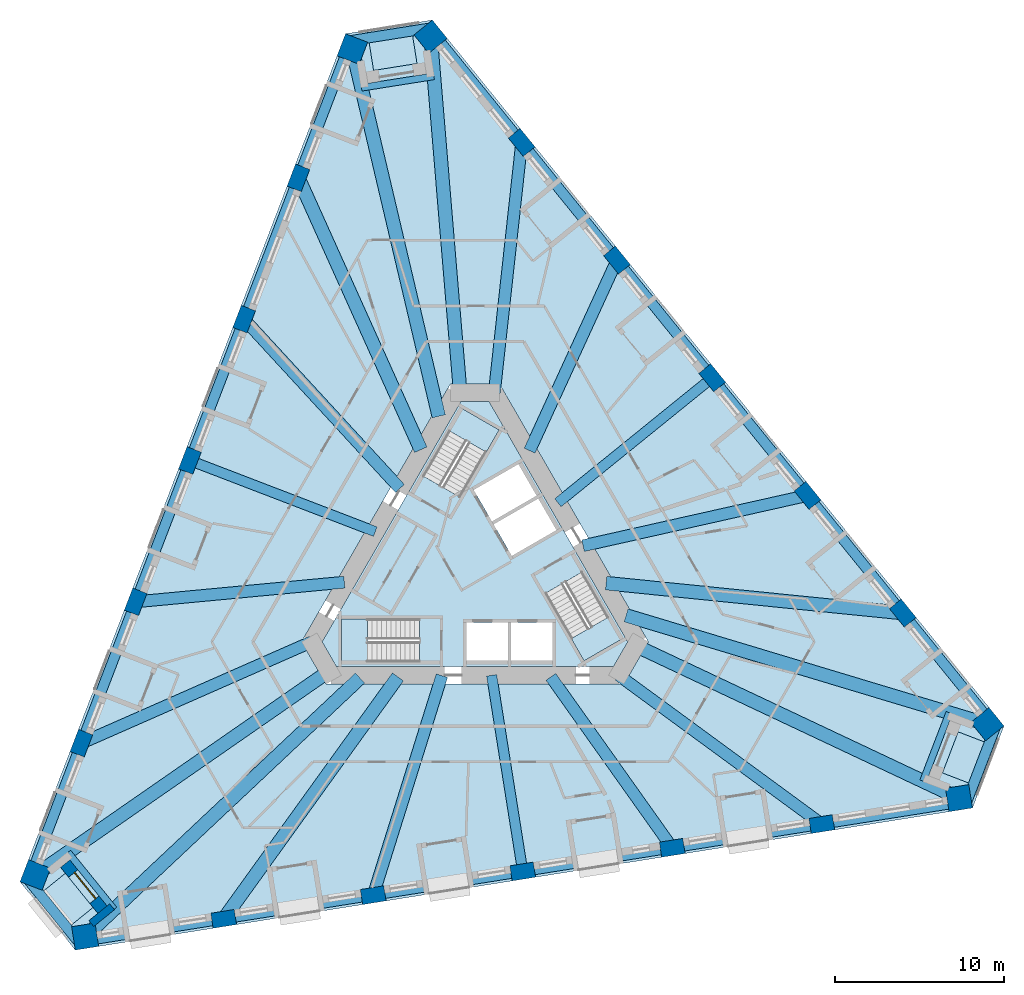
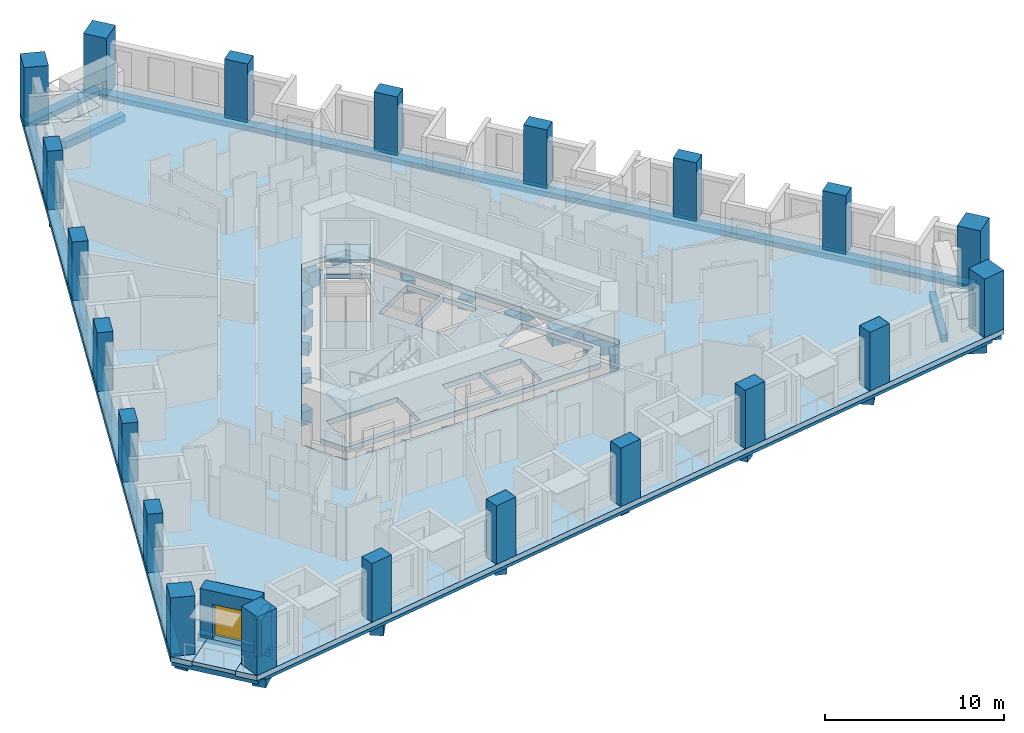
# One storey, part 1 of 14: 30 beams, 21 columns, 8 slabs, 2 walls, 1 door, 1 opening, 3 elements without a shape of their own.
"""IFC4 building model written with IfcOpenShell, lengths in metres."""

from ifc_helpers import new_model, si_unit, direction, frame, frame_2d, origin, origin_2d, place, context, subcontext, project, spatial, polyline, rectangle, outline, extrude, material, layer, layer_set, material_profile, profile_set, type_object, element, fill, aggregate, save


model = new_model("IFC4")

# Units and contexts
model_context = context("Model", 3, precision=1e-05, world=origin(), true_north=direction((0.0, 1.0)))
body_context = subcontext(model_context, "Body", "Model", "MODEL_VIEW")
ifc_project = project(units=[si_unit("LENGTHUNIT", "METRE"), si_unit("AREAUNIT", "SQUARE_METRE"), si_unit("VOLUMEUNIT", "CUBIC_METRE"), si_unit("PLANEANGLEUNIT", "RADIAN"), si_unit("MASSUNIT", "GRAM", prefix="KILO")], contexts=[model_context])

# Site, building, storey
site_placement = place(None, origin())
site = spatial("IfcSite", under=ifc_project, at=site_placement, CompositionType="ELEMENT")
building_placement = place(site_placement, origin())
building = spatial("IfcBuilding", under=site, at=building_placement, Name="Tramontana Tower", CompositionType="ELEMENT")
storey_placement = place(building_placement, frame((0.0, 0.0, 75.199951171875)))
storey = spatial("IfcBuildingStorey", under=building, at=storey_placement, Name="L16", CompositionType="ELEMENT", Elevation=75.199951171875)

# Columns
ifc_material_1 = material(Name="Concrete 70 MPa", Category="concrete")
ifc_material_profile_1 = material_profile(ifc_material_1, rectangle(XDim=1.39990234375, YDim=1.39990234375, at=origin_2d()), Name="Mega column 1400X1400 70 MPa")
ifc_profile_set_1 = profile_set([ifc_material_profile_1], Name="Concrete 70 MPa")
column_type_1 = type_object("IfcColumnType", Name="Mega column 1400X1400 70 MPa", PredefinedType="COLUMN", material=ifc_profile_set_1)
for number, where, z_axis, x_axis, name in (
    (1, (-7.24755859375, 30.7890625, 0.0), (0.0, 0.0, 1.0), (-0.358367949545, -0.933580426497, 0.0), "Mega column C1K1 L16"),
    (2, (-25.98779296875, -18.03125, 0.0), (0.0, 0.0, 1.0), (-0.358367949545, -0.933580426497, 0.0), "Mega column C1K2 L16"),
    (3, (-23.040283203125, -21.671142578125, 0.0), (0.0, 0.0, 1.0), (0.987688340595, 0.15643446504, 0.0), "Mega column C1K3 L16"),
    (4, (28.609375, -13.490478515625, 0.0), (0.0, 0.0, 1.0), (0.987688340595, 0.15643446504, 0.0), "Mega column C1K4 L16"),
    (5, (30.287841796875, -9.117919921875, 0.0), (0.0, 0.0, 1.0), (-0.62932039105, 0.777145961457, 0.0), "Mega column C1K5 L16"),
    (6, (-2.62158203125, 31.521728515625, 0.0), (0.0, 0.0, 1.0), (-0.62932039105, 0.777145961457, 0.0), "Mega column C1K6 L16"),
):
    element("IfcColumn", number, at=place(storey_placement, frame(where, z_axis=z_axis, x_axis=x_axis)), inside=storey, type_object=column_type_1, Name=name, PredefinedType="COLUMN", context=body_context, shape_type="SweptSolid", body=[
        extrude(rectangle(XDim=1.39990234375, YDim=1.39990234375, at=origin_2d()), origin(), (0.0, 0.0, 1.0), 4.0),
    ])
ifc_material_2 = material(Name="Concrete 55 MPa", Category="concrete")
ifc_material_profile_2 = material_profile(ifc_material_2, rectangle(XDim=1.39990234375, YDim=0.89990234375, at=origin_2d()), Name="Pier column 1400X900 55 MPa")
ifc_profile_set_2 = profile_set([ifc_material_profile_2], Name="Concrete 55 MPa")
column_type_2 = type_object("IfcColumnType", Name="Pier column 1400X900 55 MPa", PredefinedType="COLUMN", material=ifc_profile_set_2)
for number, where, z_axis, x_axis, name in (
    (7, (-10.43701171875, 23.177734375, 0.0), (0.0, 0.0, 1.0), (-0.358367949545, -0.933580426497, 0.0), "Pier column C1F01 L16"),
    (8, (-13.64404296875, 14.822998046875, 0.0), (0.0, 0.0, 1.0), (-0.358367949545, -0.933580426497, 0.0), "Pier column C1F02 L16"),
    (9, (-16.85107421875, 6.468505859375, 0.0), (0.0, 0.0, 1.0), (-0.358367949545, -0.933580426497, 0.0), "Pier column C1F03 L16"),
    (10, (-20.05810546875, -1.885986328125, 0.0), (0.0, 0.0, 1.0), (-0.358367949545, -0.933580426497, 0.0), "Pier column C1F04 L16"),
    (11, (-23.26513671875, -10.240478515625, 0.0), (0.0, 0.0, 1.0), (-0.358367949545, -0.933580426497, 0.0), "Pier column C1F05 L16"),
    (12, (-14.853759765625, -20.627685546875, 0.0), (0.0, 0.0, 1.0), (0.987688340595, 0.15643446504, 0.0), "Pier column C1F06 L16"),
    (13, (-6.01513671875, -19.227783203125, 0.0), (0.0, 0.0, 1.0), (0.987688340595, 0.15643446504, 0.0), "Pier column C1F07 L16"),
    (14, (2.82373046875, -17.827880859375, 0.0), (0.0, 0.0, 1.0), (0.987688340595, 0.15643446504, 0.0), "Pier column C1F08 L16"),
    (15, (11.662353515625, -16.427734375, 0.0), (0.0, 0.0, 1.0), (0.987688340595, 0.15643446504, 0.0), "Pier column C1F09 L16"),
    (16, (20.501220703125, -15.02783203125, 0.0), (0.0, 0.0, 1.0), (0.987688340595, 0.15643446504, 0.0), "Pier column C1F10 L16"),
    (17, (25.291015625, -2.550048828125, 0.0), (0.0, 0.0, 1.0), (-0.62932039105, 0.777145961457, 0.0), "Pier column C1F11 L16"),
    (18, (19.6591796875, 4.404541015625, 0.0), (0.0, 0.0, 1.0), (-0.62932039105, 0.777145961457, 0.0), "Pier column C1F12 L16"),
    (19, (14.027587890625, 11.359130859375, 0.0), (0.0, 0.0, 1.0), (-0.62932039105, 0.777145961457, 0.0), "Pier column C1F13 L16"),
    (20, (8.395751953125, 18.31396484375, 0.0), (0.0, 0.0, 1.0), (-0.62932039105, 0.777145961457, 0.0), "Pier column C1F14 L16"),
    (21, (2.763916015625, 25.2685546875, 0.0), (0.0, 0.0, 1.0), (-0.62932039105, 0.777145961457, 0.0), "Pier column C1F15 L16"),
):
    element("IfcColumn", number, at=place(storey_placement, frame(where, z_axis=z_axis, x_axis=x_axis)), inside=storey, type_object=column_type_2, Name=name, PredefinedType="COLUMN", context=body_context, shape_type="SweptSolid", body=[
        extrude(rectangle(XDim=1.39990234375, YDim=0.89990234375, at=origin_2d()), origin(), (0.0, 0.0, 1.0), 4.0),
    ])

# Beams
ifc_material_3 = material(Name="Concrete 40 MPa", Category="concrete")
ifc_material_profile_3 = material_profile(ifc_material_3, rectangle(XDim=0.60009765625, YDim=0.35009765625, at=origin_2d()), Name="RC EDGE BEAM 600X350 40 MPa")
ifc_profile_set_3 = profile_set([ifc_material_profile_3], Name="Concrete 40 MPa")
beam_type_1 = type_object("IfcBeamType", Name="RC EDGE BEAM 600X350 40 MPa", PredefinedType="SPANDREL", material=ifc_profile_set_3)
beam_1_placement = place(storey_placement, frame((-7.48095703125, 30.878662109375, -0.52490234375), z_axis=(-0.358365819965, -0.933581243964, 0.0), x_axis=(0.933581243964, -0.358365819965, 0.0)))
element("IfcBeam", 22, at=beam_1_placement, inside=storey, type_object=beam_type_1, Name="Spandrel beam S0 L16", PredefinedType="SPANDREL", context=body_context, shape_type="SweptSolid", body=[
    extrude(rectangle(XDim=0.60009765625, YDim=0.35009765625, at=origin_2d()), origin(), (0.0, 0.0, 1.0), 52.293701171875),
])
beam_2_placement = place(storey_placement, frame((-23.001220703125, -21.91796875, -0.52490234375), z_axis=(0.987688583718, 0.156432930012, 0.0), x_axis=(-0.156432930012, 0.987688583718, 0.0)))
element("IfcBeam", 23, at=beam_2_placement, inside=storey, type_object=beam_type_1, Name="Spandrel beam S1 L16", PredefinedType="SPANDREL", context=body_context, shape_type="SweptSolid", body=[
    extrude(rectangle(XDim=0.60009765625, YDim=0.35009765625, at=origin_2d()), origin(), (0.0, 0.0, 1.0), 52.29345703125),
])
beam_3_placement = place(storey_placement, frame((30.482177734375, -8.960693359375, -0.52490234375), z_axis=(-0.62931909415, 0.777147011664, 0.0), x_axis=(-0.777147011664, -0.62931909415, 0.0)))
element("IfcBeam", 24, at=beam_3_placement, inside=storey, type_object=beam_type_1, Name="Spandrel beam S2 L16", PredefinedType="SPANDREL", context=body_context, shape_type="SweptSolid", body=[
    extrude(rectangle(XDim=0.60009765625, YDim=0.35009765625, at=origin_2d()), origin(), (0.0, 0.0, 1.0), 52.293701171875),
])
beam_4_placement = place(storey_placement, frame((-2.447509765625, 32.061767578125, -0.52490234375), z_axis=(-0.987692388858, -0.156408903173, 0.0), x_axis=(0.156408903173, -0.987692388858, 0.0)))
element("IfcBeam", 25, at=beam_4_placement, inside=storey, type_object=beam_type_1, Name="Spandrel beam K0 L16", PredefinedType="SPANDREL", context=body_context, shape_type="SweptSolid", body=[
    extrude(rectangle(XDim=0.60009765625, YDim=0.35009765625, at=origin_2d()), origin(), (0.0, 0.0, 1.0), 5.1962890625),
])
for number, where, z_axis, x_axis, name in (
    (26, (-26.54248046875, -18.150634765625, -0.52490234375), (0.629325274503, -0.777142006889, 0.0), (0.777142006889, 0.629325274503, 0.0), "Spandrel beam K1 L16"),
    (27, (28.990234375, -13.9111328125, -0.52490234375), (0.358368174287, 0.933580340227, 0.0), (-0.933580340227, 0.358368174287, 0.0), "Spandrel beam K2 L16"),
):
    element("IfcBeam", number, at=place(storey_placement, frame(where, z_axis=z_axis, x_axis=x_axis)), inside=storey, type_object=beam_type_1, Name=name, PredefinedType="SPANDREL", context=body_context, shape_type="SweptSolid", body=[
        extrude(rectangle(XDim=0.60009765625, YDim=0.35009765625, at=origin_2d()), origin(), (0.0, 0.0, 1.0), 5.196044921875),
    ])
ifc_material_4 = material(Name="Concrete 40 MPa", Category="concrete")
ifc_material_profile_4 = material_profile(ifc_material_4, rectangle(XDim=0.60009765625, YDim=0.699951171875, at=origin_2d()), Name="RC GIRDER 600X700 40 MPa")
ifc_profile_set_4 = profile_set([ifc_material_profile_4], Name="Concrete 40 MPa")
beam_type_2 = type_object("IfcBeamType", Name="RC GIRDER 600X700 40 MPa", PredefinedType="BEAM", material=ifc_profile_set_4)
beam_5_placement = place(storey_placement, frame((-16.85107421875, 6.468505859375, -0.699951171875), z_axis=(0.933580146246, -0.358368679624, 0.0), x_axis=(0.358368679624, 0.933580146246, 0.0)))
element("IfcBeam", 28, at=beam_5_placement, inside=storey, type_object=beam_type_2, Name="Radial girder C1F03 L16", PredefinedType="BEAM", context=body_context, shape_type="SweptSolid", body=[
    extrude(rectangle(XDim=0.60009765625, YDim=0.699951171875, at=origin_2d()), origin(), (0.0, 0.0, 1.0), 11.74072265625),
])
for number, where, z_axis, x_axis, name in (
    (29, (2.823486328125, -17.827880859375, -0.699951171875), (-0.156412100064, 0.9876918826, 0.0), (-0.9876918826, -0.156412100064, 0.0), "Radial girder C1F08 L16"),
    (30, (14.027587890625, 11.359130859375, -0.699951171875), (-0.777154793409, -0.62930948434, 0.0), (0.62930948434, -0.777154793409, 0.0), "Radial girder C1F13 L16"),
):
    element("IfcBeam", number, at=place(storey_placement, frame(where, z_axis=z_axis, x_axis=x_axis)), inside=storey, type_object=beam_type_2, Name=name, PredefinedType="BEAM", context=body_context, shape_type="SweptSolid", body=[
        extrude(rectangle(XDim=0.60009765625, YDim=0.699951171875, at=origin_2d()), origin(), (0.0, 0.0, 1.0), 11.740966796875),
    ])
ifc_material_5 = material(Name="Concrete 40 MPa", Category="concrete")
ifc_material_profile_5 = material_profile(ifc_material_5, rectangle(XDim=0.699951171875, YDim=0.89990234375, at=origin_2d()), Name="RC GIRDER 700X900 40 MPa")
ifc_profile_set_5 = profile_set([ifc_material_profile_5], Name="Concrete 40 MPa")
beam_type_3 = type_object("IfcBeamType", Name="RC GIRDER 700X900 40 MPa", PredefinedType="BEAM", material=ifc_profile_set_5)
beam_6_placement = place(storey_placement, frame((-13.64404296875, 14.822998046875, -0.800048828125), z_axis=(0.677237750705, -0.735764248261, 0.0), x_axis=(0.735764248261, 0.677237750705, 0.0)))
element("IfcBeam", 31, at=beam_6_placement, inside=storey, type_object=beam_type_3, Name="Radial girder C1F02 L16", PredefinedType="BEAM", context=body_context, shape_type="SweptSolid", body=[
    extrude(rectangle(XDim=0.699951171875, YDim=0.89990234375, at=origin_2d()), origin(), (0.0, 0.0, 1.0), 13.598876953125),
])
beam_7_placement = place(storey_placement, frame((-20.05810546875, -1.885986328125, -0.800048828125), z_axis=(0.995608960431, 0.093609817375, 0.0), x_axis=(-0.093609817375, 0.995608960431, 0.0)))
element("IfcBeam", 32, at=beam_7_placement, inside=storey, type_object=beam_type_3, Name="Radial girder C1F04 L16", PredefinedType="BEAM", context=body_context, shape_type="SweptSolid", body=[
    extrude(rectangle(XDim=0.699951171875, YDim=0.89990234375, at=origin_2d()), origin(), (0.0, 0.0, 1.0), 12.3935546875),
])
beam_8_placement = place(storey_placement, frame((-23.26513671875, -10.240478515625, -0.800048828125), z_axis=(0.915262520168, 0.402857939199, 0.0), x_axis=(-0.402857939199, 0.915262520168, 0.0)))
element("IfcBeam", 33, at=beam_8_placement, inside=storey, type_object=beam_type_3, Name="Radial girder C1F05 L16", PredefinedType="BEAM", context=body_context, shape_type="SweptSolid", body=[
    extrude(rectangle(XDim=0.699951171875, YDim=0.89990234375, at=origin_2d()), origin(), (0.0, 0.0, 1.0), 14.87841796875),
])
beam_9_placement = place(storey_placement, frame((-6.01513671875, -19.227783203125, -0.800048828125), z_axis=(0.298567329493, 0.954388573779, 0.0), x_axis=(-0.954388573779, 0.298567329493, 0.0)))
element("IfcBeam", 34, at=beam_9_placement, inside=storey, type_object=beam_type_3, Name="Radial girder C1F07 L16", PredefinedType="BEAM", context=body_context, shape_type="SweptSolid", body=[
    extrude(rectangle(XDim=0.699951171875, YDim=0.89990234375, at=origin_2d()), origin(), (0.0, 0.0, 1.0), 13.599365234375),
])
beam_10_placement = place(storey_placement, frame((11.662353515625, -16.427978515625, -0.800048828125), z_axis=(-0.578872935906, 0.815417760461, 0.0), x_axis=(-0.815417760461, -0.578872935906, 0.0)))
element("IfcBeam", 35, at=beam_10_placement, inside=storey, type_object=beam_type_3, Name="Radial girder C1F09 L16", PredefinedType="BEAM", context=body_context, shape_type="SweptSolid", body=[
    extrude(rectangle(XDim=0.699951171875, YDim=0.89990234375, at=origin_2d()), origin(), (0.0, 0.0, 1.0), 12.3935546875),
])
beam_11_placement = place(storey_placement, frame((20.501220703125, -15.02783203125, -0.800048828125), z_axis=(-0.806528613825, 0.591195056712, 0.0), x_axis=(-0.591195056712, -0.806528613825, 0.0)))
element("IfcBeam", 36, at=beam_11_placement, inside=storey, type_object=beam_type_3, Name="Radial girder C1F10 L16", PredefinedType="BEAM", context=body_context, shape_type="SweptSolid", body=[
    extrude(rectangle(XDim=0.699951171875, YDim=0.89990234375, at=origin_2d()), origin(), (0.0, 0.0, 1.0), 14.878662109375),
])
beam_12_placement = place(storey_placement, frame((19.6591796875, 4.404541015625, -0.800048828125), z_axis=(-0.975807938002, -0.218629522556, 0.0), x_axis=(0.218629522556, -0.975807938002, 0.0)))
element("IfcBeam", 37, at=beam_12_placement, inside=storey, type_object=beam_type_3, Name="Radial girder C1F12 L16", PredefinedType="BEAM", context=body_context, shape_type="SweptSolid", body=[
    extrude(rectangle(XDim=0.699951171875, YDim=0.89990234375, at=origin_2d()), origin(), (0.0, 0.0, 1.0), 13.59912109375),
])
beam_13_placement = place(storey_placement, frame((8.395751953125, 18.31396484375, -0.800048828125), z_axis=(-0.416724572993, -0.909032799333, 0.0), x_axis=(0.909032799333, -0.416724572993, 0.0)))
element("IfcBeam", 38, at=beam_13_placement, inside=storey, type_object=beam_type_3, Name="Radial girder C1F14 L16", PredefinedType="BEAM", context=body_context, shape_type="SweptSolid", body=[
    extrude(rectangle(XDim=0.699951171875, YDim=0.89990234375, at=origin_2d()), origin(), (0.0, 0.0, 1.0), 12.393798828125),
])
beam_14_placement = place(storey_placement, frame((2.763916015625, 25.2685546875, -0.800048828125), z_axis=(-0.108724057734, -0.994071968858, 0.0), x_axis=(0.994071968858, -0.108724057734, 0.0)))
element("IfcBeam", 39, at=beam_14_placement, inside=storey, type_object=beam_type_3, Name="Radial girder C1F15 L16", PredefinedType="BEAM", context=body_context, shape_type="SweptSolid", body=[
    extrude(rectangle(XDim=0.699951171875, YDim=0.89990234375, at=origin_2d()), origin(), (0.0, 0.0, 1.0), 14.878662109375),
])
ifc_material_6 = material(Name="Concrete 40 MPa", Category="concrete")
ifc_material_profile_6 = material_profile(ifc_material_6, rectangle(XDim=0.800048828125, YDim=1.10009765625, at=origin_2d()), Name="RC GIRDER 800X1100 40 MPa")
ifc_profile_set_6 = profile_set([ifc_material_profile_6], Name="Concrete 40 MPa")
beam_type_4 = type_object("IfcBeamType", Name="RC GIRDER 800X1100 40 MPa", PredefinedType="BEAM", material=ifc_profile_set_6)
beam_15_placement = place(storey_placement, frame((-7.24755859375, 30.7890625, -0.89990234375), z_axis=(0.229129631405, -0.973395917401, 0.0), x_axis=(0.973395917401, 0.229129631405, 0.0)))
element("IfcBeam", 40, at=beam_15_placement, inside=storey, type_object=beam_type_4, Name="Radial girder C1K1 L16", PredefinedType="BEAM", context=body_context, shape_type="SweptSolid", body=[
    extrude(rectangle(XDim=0.800048828125, YDim=1.10009765625, at=origin_2d()), origin(), (0.0, 0.0, 1.0), 22.30322265625),
])
beam_16_placement = place(storey_placement, frame((-10.43701171875, 23.177490234375, -0.89990234375), z_axis=(0.410600793892, -0.91181521596, 0.0), x_axis=(0.91181521596, 0.410600793892, 0.0)))
element("IfcBeam", 41, at=beam_16_placement, inside=storey, type_object=beam_type_4, Name="Radial girder C1F01 L16", PredefinedType="BEAM", context=body_context, shape_type="SweptSolid", body=[
    extrude(rectangle(XDim=0.800048828125, YDim=1.10009765625, at=origin_2d()), origin(), (0.0, 0.0, 1.0), 17.626220703125),
])
beam_17_placement = place(storey_placement, frame((-25.98779296875, -18.03125, -0.89990234375), z_axis=(0.821603252741, 0.570059729402, 0.0), x_axis=(-0.570059729402, 0.821603252741, 0.0)))
element("IfcBeam", 42, at=beam_17_placement, inside=storey, type_object=beam_type_4, Name="Radial girder C1K2 L16", PredefinedType="BEAM", context=body_context, shape_type="SweptSolid", body=[
    extrude(rectangle(XDim=0.800048828125, YDim=1.10009765625, at=origin_2d()), origin(), (0.0, 0.0, 1.0), 21.11767578125),
])
beam_18_placement = place(storey_placement, frame((-23.040283203125, -21.671142578125, -0.89990234375), z_axis=(0.728416554247, 0.685134529489, 0.0), x_axis=(-0.685134529489, 0.728416554247, 0.0)))
element("IfcBeam", 43, at=beam_18_placement, inside=storey, type_object=beam_type_4, Name="Radial girder C1K3 L16", PredefinedType="BEAM", context=body_context, shape_type="SweptSolid", body=[
    extrude(rectangle(XDim=0.800048828125, YDim=1.10009765625, at=origin_2d()), origin(), (0.0, 0.0, 1.0), 22.30322265625),
])
beam_19_placement = place(storey_placement, frame((-14.85400390625, -20.627685546875, -0.89990234375), z_axis=(0.584356173005, 0.81149729702, 0.0), x_axis=(-0.81149729702, 0.584356173005, 0.0)))
element("IfcBeam", 44, at=beam_19_placement, inside=storey, type_object=beam_type_4, Name="Radial girder C1F06 L16", PredefinedType="BEAM", context=body_context, shape_type="SweptSolid", body=[
    extrude(rectangle(XDim=0.800048828125, YDim=1.10009765625, at=origin_2d()), origin(), (0.0, 0.0, 1.0), 17.626220703125),
])
beam_20_placement = place(storey_placement, frame((28.609375, -13.490478515625, -0.89990234375), z_axis=(-0.904488564757, 0.426497873645, 0.0), x_axis=(-0.426497873645, -0.904488564757, 0.0)))
element("IfcBeam", 45, at=beam_20_placement, inside=storey, type_object=beam_type_4, Name="Radial girder C1K4 L16", PredefinedType="BEAM", context=body_context, shape_type="SweptSolid", body=[
    extrude(rectangle(XDim=0.800048828125, YDim=1.10009765625, at=origin_2d()), origin(), (0.0, 0.0, 1.0), 21.11767578125),
])
beam_21_placement = place(storey_placement, frame((30.287841796875, -9.117919921875, -0.89990234375), z_axis=(-0.957551991149, 0.288260618619, 0.0), x_axis=(-0.288260618619, -0.957551991149, 0.0)))
element("IfcBeam", 46, at=beam_21_placement, inside=storey, type_object=beam_type_4, Name="Radial girder C1K5 L16", PredefinedType="BEAM", context=body_context, shape_type="SweptSolid", body=[
    extrude(rectangle(XDim=0.800048828125, YDim=1.10009765625, at=origin_2d()), origin(), (0.0, 0.0, 1.0), 22.303466796875),
])
beam_22_placement = place(storey_placement, frame((25.291015625, -2.550048828125, -0.89990234375), z_axis=(-0.99495498196, 0.100322399654, 0.0), x_axis=(-0.100322399654, -0.99495498196, 0.0)))
element("IfcBeam", 47, at=beam_22_placement, inside=storey, type_object=beam_type_4, Name="Radial girder C1F11 L16", PredefinedType="BEAM", context=body_context, shape_type="SweptSolid", body=[
    extrude(rectangle(XDim=0.800048828125, YDim=1.10009765625, at=origin_2d()), origin(), (0.0, 0.0, 1.0), 17.626220703125),
])
beam_23_placement = place(storey_placement, frame((-2.62158203125, 31.521728515625, -0.89990234375), z_axis=(0.082880913658, -0.996559458412, 0.0), x_axis=(0.996559458412, 0.082880913658, 0.0)))
element("IfcBeam", 48, at=beam_23_placement, inside=storey, type_object=beam_type_4, Name="Radial girder C1K6 L16", PredefinedType="BEAM", context=body_context, shape_type="SweptSolid", body=[
    extrude(rectangle(XDim=0.800048828125, YDim=1.10009765625, at=origin_2d()), origin(), (0.0, 0.0, 1.0), 21.11767578125),
])
ifc_material_7 = material(Name="Concrete 40 MPa", Category="concrete")
ifc_material_profile_7 = material_profile(ifc_material_7, rectangle(XDim=0.39990234375, YDim=0.5, at=origin_2d()), Name="RC TRIM BEAM 400X500 40 MPa")
ifc_profile_set_7 = profile_set([ifc_material_profile_7], Name="Concrete 40 MPa")
beam_type_5 = type_object("IfcBeamType", Name="RC TRIM BEAM 400X500 40 MPa", PredefinedType="JOIST", material=ifc_profile_set_7)
for number, where, z_axis, x_axis, name in (
    (49, (-2.4267578125, 29.1796875, -0.599853515625), (-0.987688889444, -0.156430999708, 0.0), (0.156430999708, -0.987688889444, 0.0), "Trimmer beam K0 L16"),
    (50, (-24.056884765625, -16.69140625, -0.599853515625), (0.629326191545, -0.777141264273, 0.0), (0.777141264273, 0.629326191545, 0.0), "Trimmer beam K1 L16"),
    (51, (26.483642578125, -12.48828125, -0.599853515625), (0.358345094406, 0.933589199442, 0.0), (-0.933589199442, 0.358345094406, 0.0), "Trimmer beam K2 L16"),
):
    element("IfcBeam", number, at=place(storey_placement, frame(where, z_axis=z_axis, x_axis=x_axis)), inside=storey, type_object=beam_type_5, Name=name, PredefinedType="JOIST", context=body_context, shape_type="SweptSolid", body=[
        extrude(rectangle(XDim=0.39990234375, YDim=0.5, at=origin_2d()), origin(), (0.0, 0.0, 1.0), 4.335693359375),
    ])

# Slabs
ifc_material_8 = material(Name="Precast concrete 50 MPa", Category="concrete")
ifc_layer_1 = layer(ifc_material_8, 0.25)
ifc_layer_set_1 = layer_set([ifc_layer_1], Name="LT1 Loggia floor tray 250")
slab_type_1 = type_object("IfcSlabType", Name="LT1 Loggia floor tray 250", PredefinedType="FLOOR", material=ifc_layer_set_1)
slab_1_placement = place(storey_placement, frame((0.0, 0.0, -0.25)))
element("IfcSlab", 52, at=slab_1_placement, inside=storey, type_object=slab_type_1, Name="Corner loggia floor L16 K10", PredefinedType="FLOOR", context=body_context, shape_type="SweptSolid", body=[
    extrude(outline(polyline([(-3.800048828125, 32.30322265625), (-3.424560546875, 29.932861328125), (-5.99267578125, 29.526123046875), (-6.3681640625, 31.896484375), (-3.800048828125, 32.30322265625)])), origin(), (0.0, 0.0, 1.0), 0.25),
])
slab_2_placement = place(storey_placement, frame((0.0, 0.0, -0.25)))
element("IfcSlab", 53, at=slab_2_placement, inside=storey, type_object=slab_type_1, Name="Corner loggia floor L16 K11", PredefinedType="FLOOR", context=body_context, shape_type="SweptSolid", body=[
    extrude(outline(polyline([(-26.075439453125, -19.442626953125), (-24.210205078125, -17.932373046875), (-22.573974609375, -19.952880859375), (-24.439208984375, -21.463134765625), (-26.075439453125, -19.442626953125)])), origin(), (0.0, 0.0, 1.0), 0.25),
])
slab_3_placement = place(storey_placement, frame((0.0, 0.0, -0.25)))
element("IfcSlab", 54, at=slab_3_placement, inside=storey, type_object=slab_type_1, Name="Corner loggia floor L16 K12", PredefinedType="FLOOR", context=body_context, shape_type="SweptSolid", body=[
    extrude(outline(polyline([(29.87548828125, -12.860595703125), (27.635009765625, -12.00048828125), (28.566650390625, -9.5732421875), (30.80712890625, -10.433349609375), (29.87548828125, -12.860595703125)])), origin(), (0.0, 0.0, 1.0), 0.25),
])
ifc_material_9 = material(Name="Concrete 40 MPa", Category="concrete")
ifc_layer_2 = layer(ifc_material_9, 0.35009765625)
ifc_layer_set_2 = layer_set([ifc_layer_2], Name="PT FLAT SLAB 350 40 MPa")
slab_type_2 = type_object("IfcSlabType", Name="PT FLAT SLAB 350 40 MPa", PredefinedType="FLOOR", material=ifc_layer_set_2)
slab_4_placement = place(storey_placement, frame((0.0, 0.0, -0.349853515625)))
element("IfcSlab", 55, at=slab_4_placement, inside=storey, type_object=slab_type_2, Name="Floor slab L16", PredefinedType="FLOOR", context=body_context, shape_type="SweptSolid", body=[
    extrude(outline(polyline([(30.80712890625, -10.433349609375), (28.566650390625, -9.5732421875), (27.635009765625, -12.00048828125), (29.87548828125, -12.860595703125), (29.410400390625, -14.072509765625), (-23.622314453125, -22.471923828125), (-24.439208984375, -21.463134765625), (-22.573974609375, -19.952880859375), (-24.210205078125, -17.932373046875), (-26.075439453125, -19.442626953125), (-26.892333984375, -18.433837890625), (-7.650146484375, 31.693359375), (-6.3681640625, 31.896484375), (-5.99267578125, 29.526123046875), (-3.4248046875, 29.932861328125), (-3.800048828125, 32.30322265625), (-2.51806640625, 32.50634765625), (31.2724609375, -9.221435546875), (30.80712890625, -10.433349609375)]), holes=[polyline([(-10.248046875, -4.25), (-8.8046875, -6.75), (8.8046875, -6.75), (10.248046875, -4.25), (1.443359375, 11.0), (-1.443359375, 11.0), (-10.248046875, -4.25)])]), origin(), (0.0, 0.0, 1.0), 0.349853515625),
])
slab_5_placement = place(storey_placement, frame((0.0, 0.0, -0.349853515625)))
element("IfcSlab", 56, at=slab_5_placement, inside=storey, type_object=slab_type_2, Name="Core floor slab L16", PredefinedType="FLOOR", context=body_context, shape_type="SweptSolid", body=[
    extrude(outline(polyline([(9.035400390625, -4.25), (8.198486328125, -5.699951171875), (-8.198486328125, -5.699951171875), (-9.035400390625, -4.25), (-0.837158203125, 9.949951171875), (0.837158203125, 9.949951171875), (9.035400390625, -4.25)]), holes=[polyline([(8.659912109375, -4.099365234375), (6.35986328125, -0.115478515625), (4.151611328125, -1.390625), (6.451416015625, -5.374267578125), (8.659912109375, -4.099365234375)]), polyline([(3.829833984375, 4.2666015625), (1.101806640625, 2.69140625), (2.177001953125, 0.82958984375), (4.90478515625, 2.404541015625), (3.829833984375, 4.2666015625)]), polyline([(4.590087890625, -3.10009765625), (2.139892578125, -3.10009765625), (2.139892578125, -5.449951171875), (4.590087890625, -5.449951171875), (4.590087890625, -3.10009765625)]), polyline([(2.65478515625, 6.3017578125), (-0.072998046875, 4.726806640625), (1.001953125, 2.86474609375), (3.729736328125, 4.439697265625), (2.65478515625, 6.3017578125)]), polyline([(1.93994140625, -5.449951171875), (1.93994140625, -3.10009765625), (-0.510009765625, -3.10009765625), (-0.510009765625, -5.449951171875), (1.93994140625, -5.449951171875)]), polyline([(-0.77978515625, 9.54931640625), (-3.079833984375, 5.565673828125), (-0.87158203125, 4.29052734375), (1.428466796875, 8.2744140625), (-0.77978515625, 9.54931640625)]), polyline([(-7.8798828125, -5.449951171875), (-3.280029296875, -5.449951171875), (-3.280029296875, -2.89990234375), (-7.8798828125, -2.89990234375), (-7.8798828125, -5.449951171875)])]), origin(), (0.0, 0.0, 1.0), 0.349853515625),
])

# Stair, slab
ifc_material_10 = material(Name="Concrete 40 MPa", Category="concrete")
stair_type = type_object("IfcStairType", Name="EXIT STAIR 24 RISERS", PredefinedType="HALF_TURN_STAIR", material=ifc_material_10)
stair_1_placement = place(storey_placement, origin())
stair_1 = element("IfcStair", 57, at=stair_1_placement, inside=storey, type_object=stair_type, Name="L16 Exit stair ST1", PredefinedType="HALF_TURN_STAIR")
ifc_material_11 = material(Name="Concrete 40 MPa", Category="concrete")
ifc_layer_3 = layer(ifc_material_11, 0.199951171875)
ifc_layer_set_3 = layer_set([ifc_layer_3], Name="STAIR LANDING 200")
slab_type_3 = type_object("IfcSlabType", Name="STAIR LANDING 200", PredefinedType="LANDING", material=ifc_layer_set_3)
slab_6_placement = place(storey_placement, frame((0.0, 0.0, 1.800048828125)))
slab_6 = element("IfcSlab", 58, at=slab_6_placement, type_object=slab_type_3, Name="ST1 landing 1", PredefinedType="LANDING", context=body_context, shape_type="SweptSolid", body=[
    extrude(outline(polyline([(0.66845703125, 6.9580078125), (1.428466796875, 8.274169921875), (-0.77978515625, 9.54931640625), (-1.539794921875, 8.23291015625), (0.66845703125, 6.9580078125)])), origin(), (0.0, 0.0, 1.0), 0.199951171875),
])
aggregate(stair_1, [slab_6])

stair_2_placement = place(storey_placement, origin())
stair_2 = element("IfcStair", 59, at=stair_2_placement, inside=storey, type_object=stair_type, Name="L16 Exit stair ST2", PredefinedType="HALF_TURN_STAIR")
slab_7_placement = place(storey_placement, frame((0.0, 0.0, 1.800048828125)))
slab_7 = element("IfcSlab", 60, at=slab_7_placement, type_object=slab_type_3, Name="ST2 landing 1", PredefinedType="LANDING", context=body_context, shape_type="SweptSolid", body=[
    extrude(outline(polyline([(-6.360107421875, -2.89990234375), (-7.8798828125, -2.89990234375), (-7.8798828125, -5.449951171875), (-6.360107421875, -5.449951171875), (-6.360107421875, -2.89990234375)])), origin(), (0.0, 0.0, 1.0), 0.199951171875),
])
aggregate(stair_2, [slab_7])

stair_3_placement = place(storey_placement, origin())
stair_3 = element("IfcStair", 61, at=stair_3_placement, inside=storey, type_object=stair_type, Name="L16 Exit stair ST3", PredefinedType="HALF_TURN_STAIR")
slab_8_placement = place(storey_placement, frame((0.0, 0.0, 1.800048828125)))
slab_8 = element("IfcSlab", 62, at=slab_8_placement, type_object=slab_type_3, Name="ST3 landing 1", PredefinedType="LANDING", context=body_context, shape_type="SweptSolid", body=[
    extrude(outline(polyline([(5.69140625, -4.057861328125), (6.451416015625, -5.374267578125), (8.659912109375, -4.099365234375), (7.89990234375, -2.782958984375), (5.69140625, -4.057861328125)])), origin(), (0.0, 0.0, 1.0), 0.199951171875),
])
aggregate(stair_3, [slab_8])

# Wall
ifc_material_12 = material(Name="Precast concrete 60 MPa", Category="concrete")
ifc_layer_4 = layer(ifc_material_12, 0.449951171875)
ifc_layer_set_4 = layer_set([ifc_layer_4], Name="Precast concrete 60 MPa, 450 mm")
wall_type_1 = type_object("IfcWallType", Name="EW1 Stone-faced precast wall 450", PredefinedType="SOLIDWALL", material=ifc_layer_set_4)
wall_1_placement = place(storey_placement, frame((-22.677001953125, -20.90478515625, 0.0), z_axis=(0.0, 0.0, 1.0), x_axis=(0.777205264571, 0.629247150747, 0.0)))
element("IfcWall", 63, at=wall_1_placement, inside=storey, type_object=wall_type_1, Name="Corner loggia side wall L16 K11l", PredefinedType="SOLIDWALL", context=body_context, shape_type="SweptSolid", body=[
    extrude(rectangle(XDim=1.5791015625, YDim=0.449951171875, at=frame_2d((0.78955078125, 0.0))), origin(), (0.0, 0.0, 1.0), 2.550048828125),
])

# Wall, opening, door
ifc_material_13 = material(Name="Precast concrete 60 MPa", Category="concrete")
ifc_layer_5 = layer(ifc_material_13, 0.89990234375)
ifc_layer_set_5 = layer_set([ifc_layer_5], Name="EW2 Stone-faced corner loggia wall 900")
wall_type_2 = type_object("IfcWallType", Name="EW2 Stone-faced corner loggia wall 900", PredefinedType="SOLIDWALL", material=ifc_layer_set_5)
wall_2_placement = place(storey_placement, frame((-21.941162109375, -20.019287109375, 0.0), z_axis=(0.0, 0.0, 1.0), x_axis=(-0.629328651904, 0.777139271876, 0.0)))
wall_2 = element("IfcWall", 64, at=wall_2_placement, inside=storey, type_object=wall_type_2, Name="Corner loggia wall L16 K11", PredefinedType="SOLIDWALL", context=body_context, shape_type="SweptSolid", body=[
    extrude(rectangle(XDim=3.5, YDim=0.89990234375, at=frame_2d((1.75, 0.0))), origin(), (0.0, 0.0, 1.0), 3.300048828125),
])
opening_placement = place(wall_2_placement, frame((0.75, 0.0, 0.0)))
opening = element("IfcOpeningElement", 65, at=opening_placement, cuts=wall_2, Name="Opening BD-11C", PredefinedType="OPENING", context=body_context, shape_type="SweptSolid", body=[
    extrude(rectangle(XDim=2.0, YDim=2.39990234375, at=frame_2d((1.0, 1.199951171875))), frame((0.0, 0.4599609375, 0.0), z_axis=(0.0, -1.0, 0.0), x_axis=(1.0, 0.0, 0.0)), (0.0, 0.0, 1.0), 0.919921875),
])
ifc_material_14 = material(Name="Aluminum frame, double glazing unit", Category="aluminium")
door_type = type_object("IfcDoorType", Name="BC1 Sliding door 2 x 2.4", OperationType="SLIDING_TO_LEFT", PredefinedType="DOOR", material=ifc_material_14)
door_placement = place(opening_placement, origin())
door = element("IfcDoor", 66, at=door_placement, inside=storey, type_object=door_type, Name="Corner loggia door L16 K11", OperationType="SLIDING_TO_LEFT", OverallHeight=2.39990234375, OverallWidth=2.0, PredefinedType="DOOR", context=body_context, shape_type="SweptSolid", body=[
    extrude(rectangle(XDim=2.0, YDim=2.39990234375, at=frame_2d((1.0, 1.199951171875))), frame((0.0, 0.02490234375, 0.0), z_axis=(0.0, -1.0, 0.0), x_axis=(1.0, 0.0, 0.0)), (0.0, 0.0, 1.0), 0.050048828125),
])
fill(opening, door)

save(model, "model.ifc")
